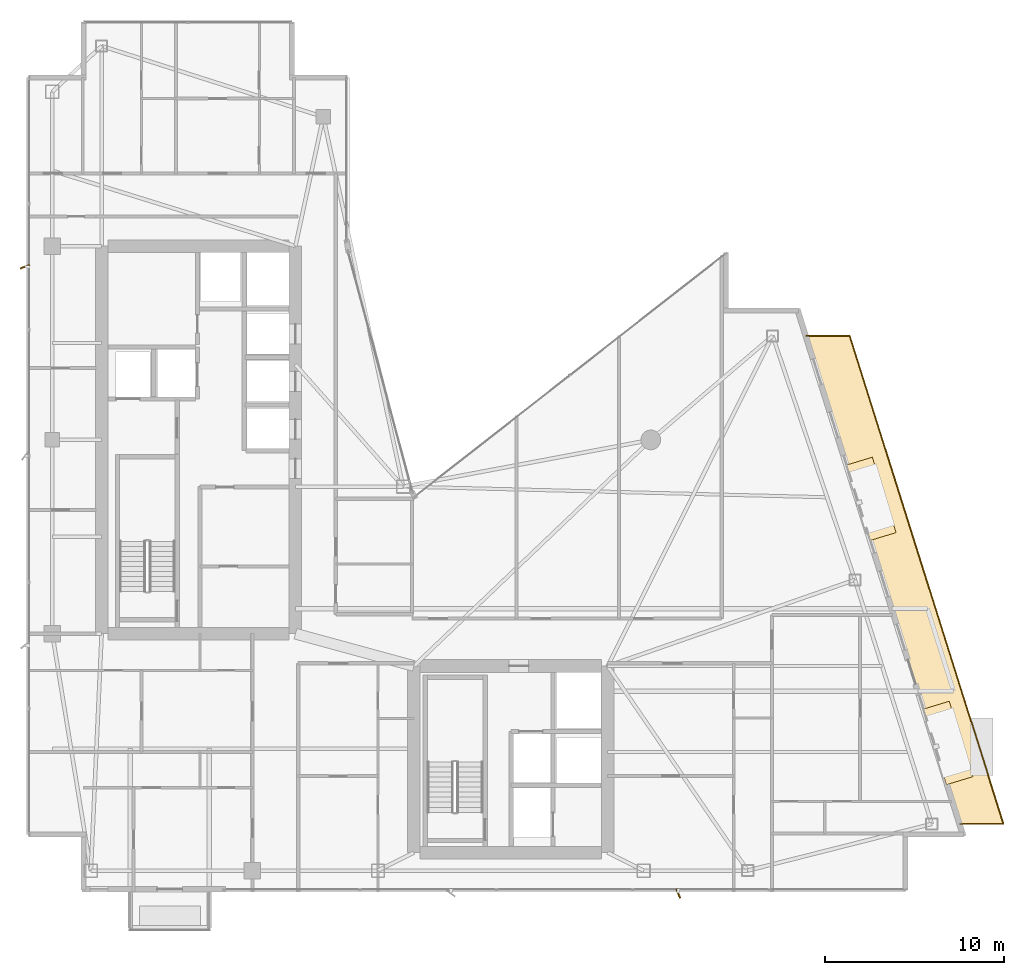
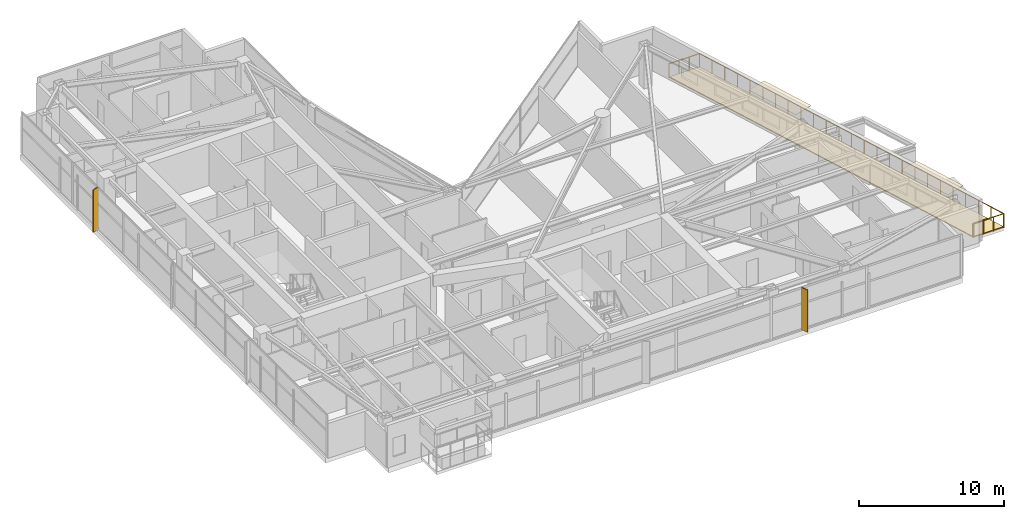
# One storey, part 29 of 29: 3 coverings, 2 shading devices, 1 railing.
"""IFC4 building model written with IfcOpenShell, lengths in metres."""

from ifc_helpers import new_model, si_unit, direction, frame, origin, origin_2d, place, context, subcontext, project, spatial, polyline, rectangle, circle, outline, extrude, material, layer, layer_set, type_object, element, save


model = new_model("IFC4")

# Units and contexts
model_context = context("Model", 3, precision=1e-05, world=origin(), true_north=direction((0.0, 1.0)))
body_context = subcontext(model_context, "Body", "Model", "MODEL_VIEW")
ifc_project = project(units=[si_unit("LENGTHUNIT", "METRE"), si_unit("AREAUNIT", "SQUARE_METRE"), si_unit("VOLUMEUNIT", "CUBIC_METRE"), si_unit("PLANEANGLEUNIT", "RADIAN"), si_unit("MASSUNIT", "GRAM", prefix="KILO")], contexts=[model_context])

# Site, building, storey
site_placement = place(None, origin())
site = spatial("IfcSite", under=ifc_project, at=site_placement, CompositionType="ELEMENT")
building_placement = place(site_placement, origin())
building = spatial("IfcBuilding", under=site, at=building_placement, Name="Calvorn Quay Hotel", CompositionType="ELEMENT")
storey_placement = place(building_placement, frame((0.0, 0.0, 199.60009765625)))
storey = spatial("IfcBuildingStorey", under=building, at=storey_placement, Name="L49", CompositionType="ELEMENT", Elevation=199.60009765625)

# Coverings
ifc_material_1 = material(Name="Pale Anodised Aluminium Rainscreen Cladding", Category="aluminium")
ifc_layer_1 = layer(ifc_material_1, 0.044921875)
ifc_layer_set_1 = layer_set([ifc_layer_1], Name="COV-CROWN-CLAD")
covering_type_1 = type_object("IfcCoveringType", Name="COV-CROWN-CLAD", PredefinedType="CLADDING", material=ifc_layer_set_1)
covering_1_placement = place(storey_placement, frame((0.0, 0.0, 2.5048828125)))
element("IfcCovering", 1, at=covering_1_placement, inside=storey, type_object=covering_type_1, Name="Angled Bay Hood Canopy L49-HOOD-1", PredefinedType="CLADDING", context=body_context, shape_type="SweptSolid", body=[
    extrude(outline(polyline([(49.95703125, 12.587890625), (51.429931640625, 13.034912109375), (52.7529296875, 8.8349609375), (51.280029296875, 8.387939453125), (49.95703125, 12.587890625)])), origin(), (0.0, 0.0, 1.0), 0.044921875),
])
covering_2_placement = place(storey_placement, frame((0.0, 0.0, 2.5048828125)))
element("IfcCovering", 2, at=covering_2_placement, inside=storey, type_object=covering_type_1, Name="Angled Bay Hood Canopy L49-HOOD-3", PredefinedType="CLADDING", context=body_context, shape_type="SweptSolid", body=[
    extrude(outline(polyline([(45.672119140625, 26.18798828125), (47.14501953125, 26.635009765625), (48.468017578125, 22.43505859375), (46.9951171875, 21.988037109375), (45.672119140625, 26.18798828125)])), origin(), (0.0, 0.0, 1.0), 0.044921875),
])
ifc_material_2 = material(Name="Insulated Elastomeric Waterproof Roofing")
ifc_layer_2 = layer(ifc_material_2, 0.080078125)
ifc_layer_set_2 = layer_set([ifc_layer_2], Name="COV-ROOF-MEMBRANE")
covering_type_2 = type_object("IfcCoveringType", Name="COV-ROOF-MEMBRANE", PredefinedType="ROOFING", material=ifc_layer_set_2)
covering_3_placement = place(storey_placement, origin())
element("IfcCovering", 3, at=covering_3_placement, inside=storey, type_object=covering_type_2, Name="Setback Terrace Waterproofing (L49)", PredefinedType="ROOFING", context=body_context, shape_type="SweptSolid", body=[
    extrude(outline(polyline([(52.031005859375, 6.199951171875), (54.4609375, 6.199951171875), (45.89111328125, 33.39990234375), (43.4609375, 33.39990234375), (52.031005859375, 6.199951171875)])), origin(), (0.0, 0.0, 1.0), 0.079833984375),
])

# Railing
ifc_material_3 = material(Name="Pale Anodised Aluminium and Laminated Glass", Category="aluminium")
railing_type = type_object("IfcRailingType", Name="RLG-BALUSTRADE-1200", PredefinedType="BALUSTRADE", material=ifc_material_3)
railing_placement = place(storey_placement, frame((52.031005859375, 6.199951171875, 0.0)))
element("IfcRailing", 4, at=railing_placement, inside=storey, type_object=railing_type, Name="Sawtooth Setback Terrace Balustrade (L49)", PredefinedType="BALUSTRADE", context=body_context, shape_type="SweptSolid", body=[
    extrude(circle(Radius=0.02392578125, at=origin_2d()), frame((0.0, 0.0, 1.17578125), z_axis=(1.0, 0.0, 0.0), x_axis=(0.0, 1.0, 0.0)), (0.0, 0.0, 1.0), 2.429931640625),
    extrude(circle(Radius=0.02392578125, at=origin_2d()), frame((2.429931640625, 0.0, 1.17578125), z_axis=(-0.300505256443, 0.953780158553, 0.0), x_axis=(-0.953780158553, -0.300505256443, 0.0)), (0.0, 0.0, 1.0), 28.51806640625),
    extrude(circle(Radius=0.02392578125, at=origin_2d()), frame((-6.139892578125, 27.199951171875, 1.17578125), z_axis=(-1.0, 0.0, 0.0), x_axis=(0.0, -1.0, 0.0)), (0.0, 0.0, 1.0), 2.43017578125),
    extrude(circle(Radius=0.02099609375, at=origin_2d()), origin(), (0.0, 0.0, 1.0), 1.15185546875),
    extrude(circle(Radius=0.02099609375, at=origin_2d()), frame((0.81005859375, 0.0, 0.0)), (0.0, 0.0, 1.0), 1.15185546875),
    extrude(circle(Radius=0.02099609375, at=origin_2d()), frame((1.619873046875, 0.0, 0.0)), (0.0, 0.0, 1.0), 1.15185546875),
    extrude(circle(Radius=0.02099609375, at=origin_2d()), frame((2.429931640625, 0.0, 0.0)), (0.0, 0.0, 1.0), 1.15185546875),
    extrude(circle(Radius=0.02099609375, at=origin_2d()), frame((2.07275390625, 1.13330078125, 0.0)), (0.0, 0.0, 1.0), 1.15185546875),
    extrude(circle(Radius=0.02099609375, at=origin_2d()), frame((1.7158203125, 2.2666015625, 0.0)), (0.0, 0.0, 1.0), 1.15185546875),
    extrude(circle(Radius=0.02099609375, at=origin_2d()), frame((1.358642578125, 3.39990234375, 0.0)), (0.0, 0.0, 1.0), 1.15185546875),
    extrude(circle(Radius=0.02099609375, at=origin_2d()), frame((1.001708984375, 4.533203125, 0.0)), (0.0, 0.0, 1.0), 1.15185546875),
    extrude(circle(Radius=0.02099609375, at=origin_2d()), frame((0.64453125, 5.666748046875, 0.0)), (0.0, 0.0, 1.0), 1.15185546875),
    extrude(circle(Radius=0.02099609375, at=origin_2d()), frame((0.28759765625, 6.800048828125, 0.0)), (0.0, 0.0, 1.0), 1.15185546875),
    extrude(circle(Radius=0.02099609375, at=origin_2d()), frame((-0.069580078125, 7.933349609375, 0.0)), (0.0, 0.0, 1.0), 1.15185546875),
    extrude(circle(Radius=0.02099609375, at=origin_2d()), frame((-0.4267578125, 9.066650390625, 0.0)), (0.0, 0.0, 1.0), 1.15185546875),
    extrude(circle(Radius=0.02099609375, at=origin_2d()), frame((-0.78369140625, 10.199951171875, 0.0)), (0.0, 0.0, 1.0), 1.15185546875),
    extrude(circle(Radius=0.02099609375, at=origin_2d()), frame((-1.140869140625, 11.333251953125, 0.0)), (0.0, 0.0, 1.0), 1.15185546875),
    extrude(circle(Radius=0.02099609375, at=origin_2d()), frame((-1.497802734375, 12.466552734375, 0.0)), (0.0, 0.0, 1.0), 1.15185546875),
    extrude(circle(Radius=0.02099609375, at=origin_2d()), frame((-1.85498046875, 13.60009765625, 0.0)), (0.0, 0.0, 1.0), 1.15185546875),
    extrude(circle(Radius=0.02099609375, at=origin_2d()), frame((-2.212158203125, 14.7333984375, 0.0)), (0.0, 0.0, 1.0), 1.15185546875),
    extrude(circle(Radius=0.02099609375, at=origin_2d()), frame((-2.569091796875, 15.86669921875, 0.0)), (0.0, 0.0, 1.0), 1.15185546875),
    extrude(circle(Radius=0.02099609375, at=origin_2d()), frame((-2.92626953125, 17.0, 0.0)), (0.0, 0.0, 1.0), 1.15185546875),
    extrude(circle(Radius=0.02099609375, at=origin_2d()), frame((-3.283203125, 18.13330078125, 0.0)), (0.0, 0.0, 1.0), 1.15185546875),
    extrude(circle(Radius=0.02099609375, at=origin_2d()), frame((-3.640380859375, 19.2666015625, 0.0)), (0.0, 0.0, 1.0), 1.15185546875),
    extrude(circle(Radius=0.02099609375, at=origin_2d()), frame((-3.99755859375, 20.39990234375, 0.0)), (0.0, 0.0, 1.0), 1.15185546875),
    extrude(circle(Radius=0.02099609375, at=origin_2d()), frame((-4.3544921875, 21.533203125, 0.0)), (0.0, 0.0, 1.0), 1.15185546875),
    extrude(circle(Radius=0.02099609375, at=origin_2d()), frame((-4.711669921875, 22.66650390625, 0.0)), (0.0, 0.0, 1.0), 1.15185546875),
    extrude(circle(Radius=0.02099609375, at=origin_2d()), frame((-5.068603515625, 23.800048828125, 0.0)), (0.0, 0.0, 1.0), 1.15185546875),
    extrude(circle(Radius=0.02099609375, at=origin_2d()), frame((-5.42578125, 24.933349609375, 0.0)), (0.0, 0.0, 1.0), 1.15185546875),
    extrude(circle(Radius=0.02099609375, at=origin_2d()), frame((-5.78271484375, 26.066650390625, 0.0)), (0.0, 0.0, 1.0), 1.15185546875),
    extrude(circle(Radius=0.02099609375, at=origin_2d()), frame((-6.139892578125, 27.199951171875, 0.0)), (0.0, 0.0, 1.0), 1.15185546875),
    extrude(circle(Radius=0.02099609375, at=origin_2d()), frame((-6.949951171875, 27.199951171875, 0.0)), (0.0, 0.0, 1.0), 1.15185546875),
    extrude(circle(Radius=0.02099609375, at=origin_2d()), frame((-7.760009765625, 27.199951171875, 0.0)), (0.0, 0.0, 1.0), 1.15185546875),
    extrude(circle(Radius=0.02099609375, at=origin_2d()), frame((-8.570068359375, 27.199951171875, 0.0)), (0.0, 0.0, 1.0), 1.15185546875),
])

# Shading devices
ifc_material_4 = material(Name="Champagne Bronze Anodised Aluminium 6063-T6", Category="aluminium")
shading_device_type = type_object("IfcShadingDeviceType", Name="SHD-FIN-A1", PredefinedType="USERDEFINED", material=ifc_material_4)
for number, where, z_axis, x_axis, name in (
    (5, (-0.080078125, 37.25, -0.000244140625), (0.0, 0.0, 1.0), (0.927183854567, 0.374606593416, 0.0), "Diagonal Sun-Shading Fin L49-W03"),
    (6, (36.3330078125, 2.320068359375, -0.000244140625), (0.0, 0.0, 1.0), (-0.374606593416, 0.927183854567, 0.0), "Diagonal Sun-Shading Fin L49-S02"),
):
    element("IfcShadingDevice", number, at=place(storey_placement, frame(where, z_axis=z_axis, x_axis=x_axis)), inside=storey, type_object=shading_device_type, Name=name, ObjectType="FIN", PredefinedType="USERDEFINED", context=body_context, shape_type="SweptSolid", body=[
        extrude(rectangle(XDim=0.550048828125, YDim=0.080078125, at=origin_2d()), origin(), (0.0, 0.0, 1.0), 3.56005859375),
    ])

save(model, "model.ifc")
